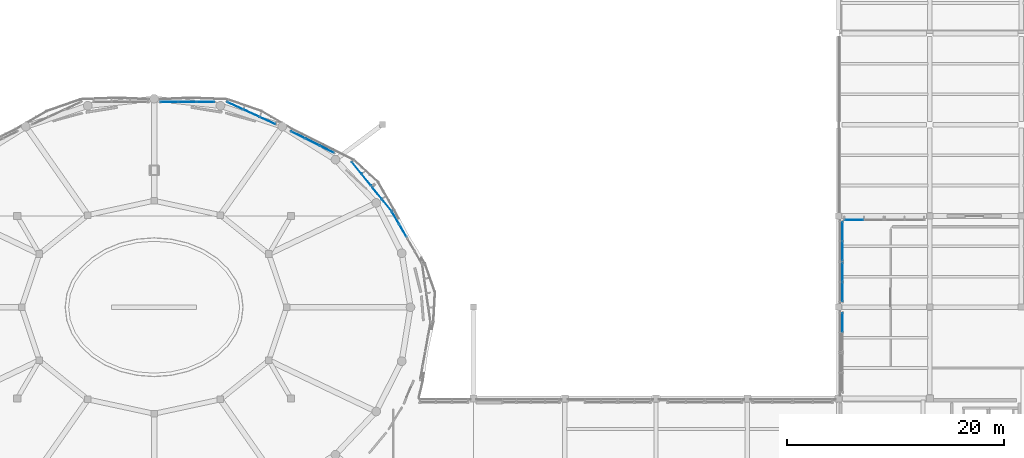
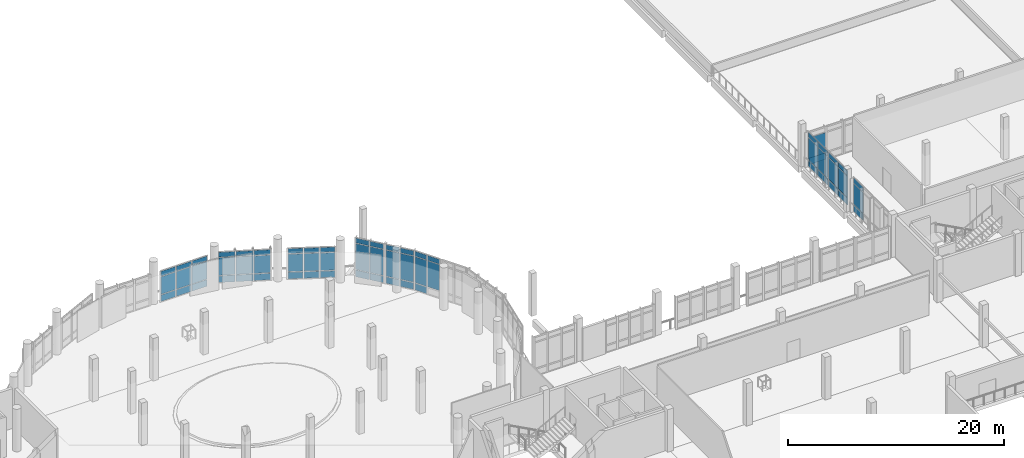
# One storey, part 37 of 63: 61 plates, 10 elements without a shape of their own.
"""IFC4 building model written with IfcOpenShell, lengths in metres."""

from ifc_helpers import new_model, si_unit, derived_unit, direction, frame, origin, origin_2d, place, context, subcontext, project, spatial, rectangle, extrude, material, layer, layer_set, type_object, element, aggregate, save


model = new_model("IFC4")

# Units and contexts
model_context = context("Model", 3, precision=1e-05, world=origin(), true_north=direction((0.0, 1.0)))
body_context = subcontext(model_context, "Body", "Model", "MODEL_VIEW")
ifc_project = project(units=[si_unit("LENGTHUNIT", "METRE"), si_unit("AREAUNIT", "SQUARE_METRE"), si_unit("VOLUMEUNIT", "CUBIC_METRE"), si_unit("PLANEANGLEUNIT", "RADIAN"), si_unit("MASSUNIT", "GRAM", prefix="KILO"), derived_unit("THERMALTRANSMITTANCEUNIT", [(si_unit("POWERUNIT", "WATT"), 1), (si_unit("LENGTHUNIT", "METRE"), -2), (si_unit("THERMODYNAMICTEMPERATUREUNIT", "KELVIN"), -1)])], contexts=[model_context])

# Site, building, storey
site_placement = place(None, origin())
site = spatial("IfcSite", under=ifc_project, at=site_placement, CompositionType="ELEMENT")
building_placement = place(site_placement, origin())
building = spatial("IfcBuilding", under=site, at=building_placement, Name="Elbkamm Science Centre", CompositionType="ELEMENT")
storey_placement = place(building_placement, frame((0.0, 0.0, 5.10009765625)))
storey = spatial("IfcBuildingStorey", under=building, at=storey_placement, Name="L01", CompositionType="ELEMENT", Elevation=5.10009765625)

# Curtain wall, plates
ifc_material_1 = material(Name="Powder-coated aluminium and triple low-E glazing", Category="aluminium")
ifc_layer_1 = layer(ifc_material_1, 0.159912109375)
ifc_layer_set_1 = layer_set([ifc_layer_1], Name="Powder-coated aluminium and triple low-E glazing")
curtain_wall_type_1 = type_object("IfcCurtainWallType", Name="CW-UNIT-2760x4500", PredefinedType="USERDEFINED", material=ifc_layer_set_1)
curtain_wall_1_placement = place(storey_placement, origin())
curtain_wall_1 = element("IfcCurtainWall", 1, at=curtain_wall_1_placement, inside=storey, type_object=curtain_wall_type_1, Name="L01 Unitised Curtain Wall 003", ObjectType="UNITISED CURTAIN WALL", PredefinedType="USERDEFINED")
ifc_material_2 = material(Name="Triple solar-control insulated safety glass", Category="glass")
ifc_layer_2 = layer(ifc_material_2, 0.048095703125)
ifc_layer_set_2 = layer_set([ifc_layer_2], Name="Triple solar-control insulated safety glass")
plate_type = type_object("IfcPlateType", Name="CW-PNL-48", PredefinedType="CURTAIN_PANEL", material=ifc_layer_set_2)
plate_1_placement = place(storey_placement, frame((85.90283203125, 74.248779296875, 0.884765625), z_axis=(0.0, 0.0, 1.0), x_axis=(-0.499477166875, 0.866327051275, 0.0)))
plate_1 = element("IfcPlate", 2, at=plate_1_placement, type_object=plate_type, Name="CW-002 panel 1.2", PredefinedType="CURTAIN_PANEL", context=body_context, shape_type="SweptSolid", body=[
    extrude(rectangle(XDim=1.27734375, YDim=0.048095703125, at=origin_2d()), origin(), (0.0, 0.0, 1.0), 2.929931640625),
])
plate_2_placement = place(storey_placement, frame((85.90283203125, 74.248779296875, 3.885009765625), z_axis=(0.0, 0.0, 1.0), x_axis=(-0.499477166875, 0.866327051275, 0.0)))
plate_2 = element("IfcPlate", 3, at=plate_2_placement, type_object=plate_type, Name="CW-002 panel 1.3", PredefinedType="CURTAIN_PANEL", context=body_context, shape_type="SweptSolid", body=[
    extrude(rectangle(XDim=1.27734375, YDim=0.048095703125, at=origin_2d()), origin(), (0.0, 0.0, 1.0), 0.544921875),
])
plate_3_placement = place(storey_placement, frame((85.229736328125, 75.416015625, 0.06982421875), z_axis=(0.0, 0.0, 1.0), x_axis=(-0.499477166875, 0.866327051275, 0.0)))
plate_3 = element("IfcPlate", 4, at=plate_3_placement, type_object=plate_type, Name="CW-002 panel 2.1", PredefinedType="CURTAIN_PANEL", context=body_context, shape_type="SweptSolid", body=[
    extrude(rectangle(XDim=1.27734375, YDim=0.048095703125, at=origin_2d()), origin(), (0.0, 0.0, 1.0), 0.7451171875),
])
plate_4_placement = place(storey_placement, frame((85.229736328125, 75.416015625, 0.884765625), z_axis=(0.0, 0.0, 1.0), x_axis=(-0.499477166875, 0.866327051275, 0.0)))
plate_4 = element("IfcPlate", 5, at=plate_4_placement, type_object=plate_type, Name="CW-002 panel 2.2", PredefinedType="CURTAIN_PANEL", context=body_context, shape_type="SweptSolid", body=[
    extrude(rectangle(XDim=1.27734375, YDim=0.048095703125, at=origin_2d()), origin(), (0.0, 0.0, 1.0), 2.929931640625),
])
plate_5_placement = place(storey_placement, frame((85.229736328125, 75.416015625, 3.885009765625), z_axis=(0.0, 0.0, 1.0), x_axis=(-0.499477166875, 0.866327051275, 0.0)))
plate_5 = element("IfcPlate", 6, at=plate_5_placement, type_object=plate_type, Name="CW-002 panel 2.3", PredefinedType="CURTAIN_PANEL", context=body_context, shape_type="SweptSolid", body=[
    extrude(rectangle(XDim=1.27734375, YDim=0.048095703125, at=origin_2d()), origin(), (0.0, 0.0, 1.0), 0.544921875),
])
aggregate(curtain_wall_1, [plate_1, plate_2, plate_3, plate_4, plate_5])

ifc_layer_3 = layer(ifc_material_1, 0.159912109375)
ifc_layer_set_3 = layer_set([ifc_layer_3], Name="Powder-coated aluminium and triple low-E glazing")
curtain_wall_type_2 = type_object("IfcCurtainWallType", Name="CW-UNIT-2900x4500", PredefinedType="USERDEFINED", material=ifc_layer_set_3)
curtain_wall_2_placement = place(storey_placement, origin())
curtain_wall_2 = element("IfcCurtainWall", 7, at=curtain_wall_2_placement, inside=storey, type_object=curtain_wall_type_2, Name="L01 Unitised Curtain Wall 004", ObjectType="UNITISED CURTAIN WALL", PredefinedType="USERDEFINED")
plate_6_placement = place(storey_placement, frame((84.409912109375, 76.60595703125, 0.06982421875), z_axis=(0.0, 0.0, 1.0), x_axis=(-0.628891983811, 0.777492683372, 0.0)))
plate_6 = element("IfcPlate", 8, at=plate_6_placement, type_object=plate_type, Name="CW-003 panel 1.1", PredefinedType="CURTAIN_PANEL", context=body_context, shape_type="SweptSolid", body=[
    extrude(rectangle(XDim=1.341796875, YDim=0.048095703125, at=origin_2d()), origin(), (0.0, 0.0, 1.0), 0.7451171875),
])
plate_7_placement = place(storey_placement, frame((84.409912109375, 76.60595703125, 0.884765625), z_axis=(0.0, 0.0, 1.0), x_axis=(-0.628891983811, 0.777492683372, 0.0)))
plate_7 = element("IfcPlate", 9, at=plate_7_placement, type_object=plate_type, Name="CW-003 panel 1.2", PredefinedType="CURTAIN_PANEL", context=body_context, shape_type="SweptSolid", body=[
    extrude(rectangle(XDim=1.341796875, YDim=0.048095703125, at=origin_2d()), origin(), (0.0, 0.0, 1.0), 2.929931640625),
])
plate_8_placement = place(storey_placement, frame((84.409912109375, 76.60595703125, 3.885009765625), z_axis=(0.0, 0.0, 1.0), x_axis=(-0.628891983811, 0.777492683372, 0.0)))
plate_8 = element("IfcPlate", 10, at=plate_8_placement, type_object=plate_type, Name="CW-003 panel 1.3", PredefinedType="CURTAIN_PANEL", context=body_context, shape_type="SweptSolid", body=[
    extrude(rectangle(XDim=1.341796875, YDim=0.048095703125, at=origin_2d()), origin(), (0.0, 0.0, 1.0), 0.544921875),
])
plate_9_placement = place(storey_placement, frame((83.52197265625, 77.703857421875, 0.06982421875), z_axis=(0.0, 0.0, 1.0), x_axis=(-0.628891983811, 0.777492683372, 0.0)))
plate_9 = element("IfcPlate", 11, at=plate_9_placement, type_object=plate_type, Name="CW-003 panel 2.1", PredefinedType="CURTAIN_PANEL", context=body_context, shape_type="SweptSolid", body=[
    extrude(rectangle(XDim=1.341796875, YDim=0.048095703125, at=origin_2d()), origin(), (0.0, 0.0, 1.0), 0.7451171875),
])
plate_10_placement = place(storey_placement, frame((83.52197265625, 77.703857421875, 0.884765625), z_axis=(0.0, 0.0, 1.0), x_axis=(-0.628891983811, 0.777492683372, 0.0)))
plate_10 = element("IfcPlate", 12, at=plate_10_placement, type_object=plate_type, Name="CW-003 panel 2.2", PredefinedType="CURTAIN_PANEL", context=body_context, shape_type="SweptSolid", body=[
    extrude(rectangle(XDim=1.341796875, YDim=0.048095703125, at=origin_2d()), origin(), (0.0, 0.0, 1.0), 2.929931640625),
])
plate_11_placement = place(storey_placement, frame((83.52197265625, 77.703857421875, 3.885009765625), z_axis=(0.0, 0.0, 1.0), x_axis=(-0.628891983811, 0.777492683372, 0.0)))
plate_11 = element("IfcPlate", 13, at=plate_11_placement, type_object=plate_type, Name="CW-003 panel 2.3", PredefinedType="CURTAIN_PANEL", context=body_context, shape_type="SweptSolid", body=[
    extrude(rectangle(XDim=1.341796875, YDim=0.048095703125, at=origin_2d()), origin(), (0.0, 0.0, 1.0), 0.544921875),
])
aggregate(curtain_wall_2, [plate_6, plate_7, plate_8, plate_9, plate_10, plate_11])

curtain_wall_3_placement = place(storey_placement, origin())
curtain_wall_3 = element("IfcCurtainWall", 14, at=curtain_wall_3_placement, inside=storey, type_object=curtain_wall_type_2, Name="L01 Unitised Curtain Wall 005", ObjectType="UNITISED CURTAIN WALL", PredefinedType="USERDEFINED")
plate_12_placement = place(storey_placement, frame((82.539794921875, 78.91796875, 0.06982421875), z_axis=(0.0, 0.0, 1.0), x_axis=(-0.628891983811, 0.777492683372, 0.0)))
plate_12 = element("IfcPlate", 15, at=plate_12_placement, type_object=plate_type, Name="CW-003 panel 1.1", PredefinedType="CURTAIN_PANEL", context=body_context, shape_type="SweptSolid", body=[
    extrude(rectangle(XDim=1.341796875, YDim=0.048095703125, at=origin_2d()), origin(), (0.0, 0.0, 1.0), 0.7451171875),
])
plate_13_placement = place(storey_placement, frame((82.539794921875, 78.91796875, 0.884765625), z_axis=(0.0, 0.0, 1.0), x_axis=(-0.628891983811, 0.777492683372, 0.0)))
plate_13 = element("IfcPlate", 16, at=plate_13_placement, type_object=plate_type, Name="CW-003 panel 1.2", PredefinedType="CURTAIN_PANEL", context=body_context, shape_type="SweptSolid", body=[
    extrude(rectangle(XDim=1.341796875, YDim=0.048095703125, at=origin_2d()), origin(), (0.0, 0.0, 1.0), 2.929931640625),
])
plate_14_placement = place(storey_placement, frame((82.539794921875, 78.91796875, 3.885009765625), z_axis=(0.0, 0.0, 1.0), x_axis=(-0.628891983811, 0.777492683372, 0.0)))
plate_14 = element("IfcPlate", 17, at=plate_14_placement, type_object=plate_type, Name="CW-003 panel 1.3", PredefinedType="CURTAIN_PANEL", context=body_context, shape_type="SweptSolid", body=[
    extrude(rectangle(XDim=1.341796875, YDim=0.048095703125, at=origin_2d()), origin(), (0.0, 0.0, 1.0), 0.544921875),
])
plate_15_placement = place(storey_placement, frame((81.65185546875, 80.015625, 0.06982421875), z_axis=(0.0, 0.0, 1.0), x_axis=(-0.628891983811, 0.777492683372, 0.0)))
plate_15 = element("IfcPlate", 18, at=plate_15_placement, type_object=plate_type, Name="CW-003 panel 2.1", PredefinedType="CURTAIN_PANEL", context=body_context, shape_type="SweptSolid", body=[
    extrude(rectangle(XDim=1.341796875, YDim=0.048095703125, at=origin_2d()), origin(), (0.0, 0.0, 1.0), 0.7451171875),
])
plate_16_placement = place(storey_placement, frame((81.65185546875, 80.015625, 0.884765625), z_axis=(0.0, 0.0, 1.0), x_axis=(-0.628891983811, 0.777492683372, 0.0)))
plate_16 = element("IfcPlate", 19, at=plate_16_placement, type_object=plate_type, Name="CW-003 panel 2.2", PredefinedType="CURTAIN_PANEL", context=body_context, shape_type="SweptSolid", body=[
    extrude(rectangle(XDim=1.341796875, YDim=0.048095703125, at=origin_2d()), origin(), (0.0, 0.0, 1.0), 2.929931640625),
])
plate_17_placement = place(storey_placement, frame((81.65185546875, 80.015625, 3.885009765625), z_axis=(0.0, 0.0, 1.0), x_axis=(-0.628891983811, 0.777492683372, 0.0)))
plate_17 = element("IfcPlate", 20, at=plate_17_placement, type_object=plate_type, Name="CW-003 panel 2.3", PredefinedType="CURTAIN_PANEL", context=body_context, shape_type="SweptSolid", body=[
    extrude(rectangle(XDim=1.341796875, YDim=0.048095703125, at=origin_2d()), origin(), (0.0, 0.0, 1.0), 0.544921875),
])
aggregate(curtain_wall_3, [plate_12, plate_13, plate_14, plate_15, plate_16, plate_17])

ifc_layer_4 = layer(ifc_material_1, 0.159912109375)
ifc_layer_set_4 = layer_set([ifc_layer_4], Name="Powder-coated aluminium and triple low-E glazing")
curtain_wall_type_3 = type_object("IfcCurtainWallType", Name="CW-UNIT-4500x3560", PredefinedType="USERDEFINED", material=ifc_layer_set_4)
curtain_wall_4_placement = place(storey_placement, origin())
curtain_wall_4 = element("IfcCurtainWall", 21, at=curtain_wall_4_placement, inside=storey, type_object=curtain_wall_type_3, Name="L01 Unitised Curtain Wall 006", ObjectType="UNITISED CURTAIN WALL", PredefinedType="USERDEFINED")
plate_18_placement = place(storey_placement, frame((78.905029296875, 81.729736328125, 0.06982421875), z_axis=(0.0, 0.0, 1.0), x_axis=(-0.894812983303, 0.446441177439, 0.0)))
plate_18 = element("IfcPlate", 22, at=plate_18_placement, type_object=plate_type, Name="CW-004 panel 1.1", PredefinedType="CURTAIN_PANEL", context=body_context, shape_type="SweptSolid", body=[
    extrude(rectangle(XDim=1.397216796875, YDim=0.048095703125, at=origin_2d()), origin(), (0.0, 0.0, 1.0), 0.7451171875),
])
plate_19_placement = place(storey_placement, frame((78.905029296875, 81.729736328125, 0.885009765625), z_axis=(0.0, 0.0, 1.0), x_axis=(-0.894812983303, 0.446441177439, 0.0)))
plate_19 = element("IfcPlate", 23, at=plate_19_placement, type_object=plate_type, Name="CW-004 panel 1.2", PredefinedType="CURTAIN_PANEL", context=body_context, shape_type="SweptSolid", body=[
    extrude(rectangle(XDim=1.397216796875, YDim=0.048095703125, at=origin_2d()), origin(), (0.0, 0.0, 1.0), 1.97998046875),
])
plate_20_placement = place(storey_placement, frame((78.905029296875, 81.729736328125, 2.93505859375), z_axis=(0.0, 0.0, 1.0), x_axis=(-0.894812983303, 0.446441177439, 0.0)))
plate_20 = element("IfcPlate", 24, at=plate_20_placement, type_object=plate_type, Name="CW-004 panel 1.3", PredefinedType="CURTAIN_PANEL", context=body_context, shape_type="SweptSolid", body=[
    extrude(rectangle(XDim=1.397216796875, YDim=0.048095703125, at=origin_2d()), origin(), (0.0, 0.0, 1.0), 0.544921875),
])
plate_21_placement = place(storey_placement, frame((77.57666015625, 82.392578125, 0.06982421875), z_axis=(0.0, 0.0, 1.0), x_axis=(-0.894812983303, 0.446441177439, 0.0)))
plate_21 = element("IfcPlate", 25, at=plate_21_placement, type_object=plate_type, Name="CW-004 panel 2.1", PredefinedType="CURTAIN_PANEL", context=body_context, shape_type="SweptSolid", body=[
    extrude(rectangle(XDim=1.43212890625, YDim=0.048095703125, at=origin_2d()), origin(), (0.0, 0.0, 1.0), 0.7451171875),
])
plate_22_placement = place(storey_placement, frame((77.57666015625, 82.392578125, 0.885009765625), z_axis=(0.0, 0.0, 1.0), x_axis=(-0.894812983303, 0.446441177439, 0.0)))
plate_22 = element("IfcPlate", 26, at=plate_22_placement, type_object=plate_type, Name="CW-004 panel 2.2", PredefinedType="CURTAIN_PANEL", context=body_context, shape_type="SweptSolid", body=[
    extrude(rectangle(XDim=1.43212890625, YDim=0.048095703125, at=origin_2d()), origin(), (0.0, 0.0, 1.0), 1.97998046875),
])
plate_23_placement = place(storey_placement, frame((77.57666015625, 82.392578125, 2.93505859375), z_axis=(0.0, 0.0, 1.0), x_axis=(-0.894812983303, 0.446441177439, 0.0)))
plate_23 = element("IfcPlate", 27, at=plate_23_placement, type_object=plate_type, Name="CW-004 panel 2.3", PredefinedType="CURTAIN_PANEL", context=body_context, shape_type="SweptSolid", body=[
    extrude(rectangle(XDim=1.43212890625, YDim=0.048095703125, at=origin_2d()), origin(), (0.0, 0.0, 1.0), 0.544921875),
])
plate_24_placement = place(storey_placement, frame((76.248291015625, 83.05517578125, 0.06982421875), z_axis=(0.0, 0.0, 1.0), x_axis=(-0.894812983303, 0.446441177439, 0.0)))
plate_24 = element("IfcPlate", 28, at=plate_24_placement, type_object=plate_type, Name="CW-004 panel 3.1", PredefinedType="CURTAIN_PANEL", context=body_context, shape_type="SweptSolid", body=[
    extrude(rectangle(XDim=1.397216796875, YDim=0.048095703125, at=origin_2d()), origin(), (0.0, 0.0, 1.0), 0.7451171875),
])
plate_25_placement = place(storey_placement, frame((76.248291015625, 83.05517578125, 0.885009765625), z_axis=(0.0, 0.0, 1.0), x_axis=(-0.894812983303, 0.446441177439, 0.0)))
plate_25 = element("IfcPlate", 29, at=plate_25_placement, type_object=plate_type, Name="CW-004 panel 3.2", PredefinedType="CURTAIN_PANEL", context=body_context, shape_type="SweptSolid", body=[
    extrude(rectangle(XDim=1.397216796875, YDim=0.048095703125, at=origin_2d()), origin(), (0.0, 0.0, 1.0), 1.97998046875),
])
plate_26_placement = place(storey_placement, frame((76.248291015625, 83.05517578125, 2.93505859375), z_axis=(0.0, 0.0, 1.0), x_axis=(-0.894812983303, 0.446441177439, 0.0)))
plate_26 = element("IfcPlate", 30, at=plate_26_placement, type_object=plate_type, Name="CW-004 panel 3.3", PredefinedType="CURTAIN_PANEL", context=body_context, shape_type="SweptSolid", body=[
    extrude(rectangle(XDim=1.397216796875, YDim=0.048095703125, at=origin_2d()), origin(), (0.0, 0.0, 1.0), 0.544921875),
])
aggregate(curtain_wall_4, [plate_18, plate_19, plate_20, plate_21, plate_22, plate_23, plate_24, plate_25, plate_26])

ifc_layer_5 = layer(ifc_material_1, 0.159912109375)
ifc_layer_set_5 = layer_set([ifc_layer_5], Name="Powder-coated aluminium and triple low-E glazing")
curtain_wall_type_4 = type_object("IfcCurtainWallType", Name="CW-UNIT-4980x3560", PredefinedType="USERDEFINED", material=ifc_layer_set_5)
curtain_wall_5_placement = place(storey_placement, origin())
curtain_wall_5 = element("IfcCurtainWall", 31, at=curtain_wall_5_placement, inside=storey, type_object=curtain_wall_type_4, Name="L01 Unitised Curtain Wall 007", ObjectType="UNITISED CURTAIN WALL", PredefinedType="USERDEFINED")
plate_27_placement = place(storey_placement, frame((73.441650390625, 84.372314453125, 0.06982421875), z_axis=(0.0, 0.0, 1.0), x_axis=(-0.908582857134, 0.417704670458, 0.0)))
plate_27 = element("IfcPlate", 32, at=plate_27_placement, type_object=plate_type, Name="CW-005 panel 1.1", PredefinedType="CURTAIN_PANEL", context=body_context, shape_type="SweptSolid", body=[
    extrude(rectangle(XDim=1.557373046875, YDim=0.048095703125, at=origin_2d()), origin(), (0.0, 0.0, 1.0), 0.7451171875),
])
plate_28_placement = place(storey_placement, frame((73.441650390625, 84.372314453125, 0.885009765625), z_axis=(0.0, 0.0, 1.0), x_axis=(-0.908582857134, 0.417704670458, 0.0)))
plate_28 = element("IfcPlate", 33, at=plate_28_placement, type_object=plate_type, Name="CW-005 panel 1.2", PredefinedType="CURTAIN_PANEL", context=body_context, shape_type="SweptSolid", body=[
    extrude(rectangle(XDim=1.557373046875, YDim=0.048095703125, at=origin_2d()), origin(), (0.0, 0.0, 1.0), 1.97998046875),
])
plate_29_placement = place(storey_placement, frame((73.441650390625, 84.372314453125, 2.93505859375), z_axis=(0.0, 0.0, 1.0), x_axis=(-0.908582857134, 0.417704670458, 0.0)))
plate_29 = element("IfcPlate", 34, at=plate_29_placement, type_object=plate_type, Name="CW-005 panel 1.3", PredefinedType="CURTAIN_PANEL", context=body_context, shape_type="SweptSolid", body=[
    extrude(rectangle(XDim=1.557373046875, YDim=0.048095703125, at=origin_2d()), origin(), (0.0, 0.0, 1.0), 0.544921875),
])
plate_30_placement = place(storey_placement, frame((71.947265625, 85.059326171875, 0.06982421875), z_axis=(0.0, 0.0, 1.0), x_axis=(-0.908582857134, 0.417704670458, 0.0)))
plate_30 = element("IfcPlate", 35, at=plate_30_placement, type_object=plate_type, Name="CW-005 panel 2.1", PredefinedType="CURTAIN_PANEL", context=body_context, shape_type="SweptSolid", body=[
    extrude(rectangle(XDim=1.59228515625, YDim=0.048095703125, at=origin_2d()), origin(), (0.0, 0.0, 1.0), 0.7451171875),
])
plate_31_placement = place(storey_placement, frame((71.947265625, 85.059326171875, 0.885009765625), z_axis=(0.0, 0.0, 1.0), x_axis=(-0.908582857134, 0.417704670458, 0.0)))
plate_31 = element("IfcPlate", 36, at=plate_31_placement, type_object=plate_type, Name="CW-005 panel 2.2", PredefinedType="CURTAIN_PANEL", context=body_context, shape_type="SweptSolid", body=[
    extrude(rectangle(XDim=1.59228515625, YDim=0.048095703125, at=origin_2d()), origin(), (0.0, 0.0, 1.0), 1.97998046875),
])
plate_32_placement = place(storey_placement, frame((71.947265625, 85.059326171875, 2.93505859375), z_axis=(0.0, 0.0, 1.0), x_axis=(-0.908582857134, 0.417704670458, 0.0)))
plate_32 = element("IfcPlate", 37, at=plate_32_placement, type_object=plate_type, Name="CW-005 panel 2.3", PredefinedType="CURTAIN_PANEL", context=body_context, shape_type="SweptSolid", body=[
    extrude(rectangle(XDim=1.59228515625, YDim=0.048095703125, at=origin_2d()), origin(), (0.0, 0.0, 1.0), 0.544921875),
])
plate_33_placement = place(storey_placement, frame((70.452880859375, 85.746337890625, 0.06982421875), z_axis=(0.0, 0.0, 1.0), x_axis=(-0.908582857134, 0.417704670458, 0.0)))
plate_33 = element("IfcPlate", 38, at=plate_33_placement, type_object=plate_type, Name="CW-005 panel 3.1", PredefinedType="CURTAIN_PANEL", context=body_context, shape_type="SweptSolid", body=[
    extrude(rectangle(XDim=1.557373046875, YDim=0.048095703125, at=origin_2d()), origin(), (0.0, 0.0, 1.0), 0.7451171875),
])
plate_34_placement = place(storey_placement, frame((70.452880859375, 85.746337890625, 0.885009765625), z_axis=(0.0, 0.0, 1.0), x_axis=(-0.908582857134, 0.417704670458, 0.0)))
plate_34 = element("IfcPlate", 39, at=plate_34_placement, type_object=plate_type, Name="CW-005 panel 3.2", PredefinedType="CURTAIN_PANEL", context=body_context, shape_type="SweptSolid", body=[
    extrude(rectangle(XDim=1.557373046875, YDim=0.048095703125, at=origin_2d()), origin(), (0.0, 0.0, 1.0), 1.97998046875),
])
plate_35_placement = place(storey_placement, frame((70.452880859375, 85.746337890625, 2.93505859375), z_axis=(0.0, 0.0, 1.0), x_axis=(-0.908582857134, 0.417704670458, 0.0)))
plate_35 = element("IfcPlate", 40, at=plate_35_placement, type_object=plate_type, Name="CW-005 panel 3.3", PredefinedType="CURTAIN_PANEL", context=body_context, shape_type="SweptSolid", body=[
    extrude(rectangle(XDim=1.557373046875, YDim=0.048095703125, at=origin_2d()), origin(), (0.0, 0.0, 1.0), 0.544921875),
])
aggregate(curtain_wall_5, [plate_27, plate_28, plate_29, plate_30, plate_31, plate_32, plate_33, plate_34, plate_35])

ifc_layer_6 = layer(ifc_material_1, 0.159912109375)
ifc_layer_set_6 = layer_set([ifc_layer_6], Name="Powder-coated aluminium and triple low-E glazing")
curtain_wall_type_5 = type_object("IfcCurtainWallType", Name="CW-UNIT-5080x3560", PredefinedType="USERDEFINED", material=ifc_layer_set_6)
curtain_wall_6_placement = place(storey_placement, origin())
curtain_wall_6 = element("IfcCurtainWall", 41, at=curtain_wall_6_placement, inside=storey, type_object=curtain_wall_type_5, Name="L01 Unitised Curtain Wall 008", ObjectType="UNITISED CURTAIN WALL", PredefinedType="USERDEFINED")
plate_36_placement = place(storey_placement, frame((67.73388671875, 86.091796875, 0.06982421875), z_axis=(0.0, 0.0, 1.0), x_axis=(-0.99998926822, -0.004632865661, 0.0)))
plate_36 = element("IfcPlate", 42, at=plate_36_placement, type_object=plate_type, Name="CW-006 panel 1.1", PredefinedType="CURTAIN_PANEL", context=body_context, shape_type="SweptSolid", body=[
    extrude(rectangle(XDim=1.5859375, YDim=0.048095703125, at=origin_2d()), origin(), (0.0, 0.0, 1.0), 0.7451171875),
])
plate_37_placement = place(storey_placement, frame((67.73388671875, 86.091796875, 0.885009765625), z_axis=(0.0, 0.0, 1.0), x_axis=(-0.99998926822, -0.004632865661, 0.0)))
plate_37 = element("IfcPlate", 43, at=plate_37_placement, type_object=plate_type, Name="CW-006 panel 1.2", PredefinedType="CURTAIN_PANEL", context=body_context, shape_type="SweptSolid", body=[
    extrude(rectangle(XDim=1.5859375, YDim=0.048095703125, at=origin_2d()), origin(), (0.0, 0.0, 1.0), 1.97998046875),
])
plate_38_placement = place(storey_placement, frame((67.73388671875, 86.091796875, 2.93505859375), z_axis=(0.0, 0.0, 1.0), x_axis=(-0.99998926822, -0.004632865661, 0.0)))
plate_38 = element("IfcPlate", 44, at=plate_38_placement, type_object=plate_type, Name="CW-006 panel 1.3", PredefinedType="CURTAIN_PANEL", context=body_context, shape_type="SweptSolid", body=[
    extrude(rectangle(XDim=1.5859375, YDim=0.048095703125, at=origin_2d()), origin(), (0.0, 0.0, 1.0), 0.544921875),
])
plate_39_placement = place(storey_placement, frame((66.060791015625, 86.084228515625, 0.06982421875), z_axis=(0.0, 0.0, 1.0), x_axis=(-0.99998926822, -0.004632865661, 0.0)))
plate_39 = element("IfcPlate", 45, at=plate_39_placement, type_object=plate_type, Name="CW-006 panel 2.1", PredefinedType="CURTAIN_PANEL", context=body_context, shape_type="SweptSolid", body=[
    extrude(rectangle(XDim=1.620849609375, YDim=0.048095703125, at=origin_2d()), origin(), (0.0, 0.0, 1.0), 0.7451171875),
])
plate_40_placement = place(storey_placement, frame((66.060791015625, 86.084228515625, 0.885009765625), z_axis=(0.0, 0.0, 1.0), x_axis=(-0.99998926822, -0.004632865661, 0.0)))
plate_40 = element("IfcPlate", 46, at=plate_40_placement, type_object=plate_type, Name="CW-006 panel 2.2", PredefinedType="CURTAIN_PANEL", context=body_context, shape_type="SweptSolid", body=[
    extrude(rectangle(XDim=1.620849609375, YDim=0.048095703125, at=origin_2d()), origin(), (0.0, 0.0, 1.0), 1.97998046875),
])
plate_41_placement = place(storey_placement, frame((66.060791015625, 86.084228515625, 2.93505859375), z_axis=(0.0, 0.0, 1.0), x_axis=(-0.99998926822, -0.004632865661, 0.0)))
plate_41 = element("IfcPlate", 47, at=plate_41_placement, type_object=plate_type, Name="CW-006 panel 2.3", PredefinedType="CURTAIN_PANEL", context=body_context, shape_type="SweptSolid", body=[
    extrude(rectangle(XDim=1.620849609375, YDim=0.048095703125, at=origin_2d()), origin(), (0.0, 0.0, 1.0), 0.544921875),
])
plate_42_placement = place(storey_placement, frame((64.387451171875, 86.076416015625, 0.06982421875), z_axis=(0.0, 0.0, 1.0), x_axis=(-0.99998926822, -0.004632865661, 0.0)))
plate_42 = element("IfcPlate", 48, at=plate_42_placement, type_object=plate_type, Name="CW-006 panel 3.1", PredefinedType="CURTAIN_PANEL", context=body_context, shape_type="SweptSolid", body=[
    extrude(rectangle(XDim=1.5859375, YDim=0.048095703125, at=origin_2d()), origin(), (0.0, 0.0, 1.0), 0.7451171875),
])
plate_43_placement = place(storey_placement, frame((64.387451171875, 86.076416015625, 0.885009765625), z_axis=(0.0, 0.0, 1.0), x_axis=(-0.99998926822, -0.004632865661, 0.0)))
plate_43 = element("IfcPlate", 49, at=plate_43_placement, type_object=plate_type, Name="CW-006 panel 3.2", PredefinedType="CURTAIN_PANEL", context=body_context, shape_type="SweptSolid", body=[
    extrude(rectangle(XDim=1.5859375, YDim=0.048095703125, at=origin_2d()), origin(), (0.0, 0.0, 1.0), 1.97998046875),
])
plate_44_placement = place(storey_placement, frame((64.387451171875, 86.076416015625, 2.93505859375), z_axis=(0.0, 0.0, 1.0), x_axis=(-0.99998926822, -0.004632865661, 0.0)))
plate_44 = element("IfcPlate", 50, at=plate_44_placement, type_object=plate_type, Name="CW-006 panel 3.3", PredefinedType="CURTAIN_PANEL", context=body_context, shape_type="SweptSolid", body=[
    extrude(rectangle(XDim=1.5859375, YDim=0.048095703125, at=origin_2d()), origin(), (0.0, 0.0, 1.0), 0.544921875),
])
aggregate(curtain_wall_6, [plate_36, plate_37, plate_38, plate_39, plate_40, plate_41, plate_42, plate_43, plate_44])

ifc_layer_7 = layer(ifc_material_1, 0.159912109375)
ifc_layer_set_7 = layer_set([ifc_layer_7], Name="Powder-coated aluminium and triple low-E glazing")
curtain_wall_type_6 = type_object("IfcCurtainWallType", Name="CW-UNIT-3640x3900", PredefinedType="USERDEFINED", material=ifc_layer_set_7)
curtain_wall_7_placement = place(storey_placement, origin())
curtain_wall_7 = element("IfcCurtainWall", 51, at=curtain_wall_7_placement, inside=storey, type_object=curtain_wall_type_6, Name="L01 Unitised Curtain Wall 156", ObjectType="UNITISED CURTAIN WALL", PredefinedType="USERDEFINED")
plate_45_placement = place(storey_placement, frame((126.3798828125, 65.78564453125, 0.06982421875), z_axis=(0.0, 0.0, 1.0), x_axis=(0.0, 1.0, 0.0)))
plate_45 = element("IfcPlate", 52, at=plate_45_placement, type_object=plate_type, Name="CW-065 panel 2.1", PredefinedType="CURTAIN_PANEL", context=body_context, shape_type="SweptSolid", body=[
    extrude(rectangle(XDim=1.7158203125, YDim=0.048095703125, at=origin_2d()), origin(), (0.0, 0.0, 1.0), 0.7451171875),
])
plate_46_placement = place(storey_placement, frame((126.3798828125, 65.78564453125, 0.884765625), z_axis=(0.0, 0.0, 1.0), x_axis=(0.0, 1.0, 0.0)))
plate_46 = element("IfcPlate", 53, at=plate_46_placement, type_object=plate_type, Name="CW-065 panel 2.2", PredefinedType="CURTAIN_PANEL", context=body_context, shape_type="SweptSolid", body=[
    extrude(rectangle(XDim=1.7158203125, YDim=0.048095703125, at=origin_2d()), origin(), (0.0, 0.0, 1.0), 2.330078125),
])
plate_47_placement = place(storey_placement, frame((126.3798828125, 65.78564453125, 3.284912109375), z_axis=(0.0, 0.0, 1.0), x_axis=(0.0, 1.0, 0.0)))
plate_47 = element("IfcPlate", 54, at=plate_47_placement, type_object=plate_type, Name="CW-065 panel 2.3", PredefinedType="CURTAIN_PANEL", context=body_context, shape_type="SweptSolid", body=[
    extrude(rectangle(XDim=1.7158203125, YDim=0.048095703125, at=origin_2d()), origin(), (0.0, 0.0, 1.0), 0.544921875),
])
aggregate(curtain_wall_7, [plate_45, plate_46, plate_47])

ifc_layer_8 = layer(ifc_material_1, 0.159912109375)
ifc_layer_set_8 = layer_set([ifc_layer_8], Name="Powder-coated aluminium and triple low-E glazing")
curtain_wall_type_7 = type_object("IfcCurtainWallType", Name="CW-UNIT-3680x3980", PredefinedType="USERDEFINED", material=ifc_layer_set_8)
curtain_wall_8_placement = place(storey_placement, origin())
curtain_wall_8 = element("IfcCurtainWall", 55, at=curtain_wall_8_placement, inside=storey, type_object=curtain_wall_type_7, Name="L01 Unitised Curtain Wall 157", ObjectType="UNITISED CURTAIN WALL", PredefinedType="USERDEFINED")
plate_48_placement = place(storey_placement, frame((126.3798828125, 68.622314453125, 0.06982421875), z_axis=(0.0, 0.0, 1.0), x_axis=(0.0, 1.0, 0.0)))
plate_48 = element("IfcPlate", 56, at=plate_48_placement, type_object=plate_type, Name="CW-074 panel 1.1", PredefinedType="CURTAIN_PANEL", context=body_context, shape_type="SweptSolid", body=[
    extrude(rectangle(XDim=1.73193359375, YDim=0.048095703125, at=origin_2d()), origin(), (0.0, 0.0, 1.0), 0.7451171875),
])
plate_49_placement = place(storey_placement, frame((126.3798828125, 68.622314453125, 0.884765625), z_axis=(0.0, 0.0, 1.0), x_axis=(0.0, 1.0, 0.0)))
plate_49 = element("IfcPlate", 57, at=plate_49_placement, type_object=plate_type, Name="CW-074 panel 1.2", PredefinedType="CURTAIN_PANEL", context=body_context, shape_type="SweptSolid", body=[
    extrude(rectangle(XDim=1.73193359375, YDim=0.048095703125, at=origin_2d()), origin(), (0.0, 0.0, 1.0), 2.409912109375),
])
plate_50_placement = place(storey_placement, frame((126.3798828125, 68.622314453125, 3.364990234375), z_axis=(0.0, 0.0, 1.0), x_axis=(0.0, 1.0, 0.0)))
plate_50 = element("IfcPlate", 58, at=plate_50_placement, type_object=plate_type, Name="CW-074 panel 1.3", PredefinedType="CURTAIN_PANEL", context=body_context, shape_type="SweptSolid", body=[
    extrude(rectangle(XDim=1.73193359375, YDim=0.048095703125, at=origin_2d()), origin(), (0.0, 0.0, 1.0), 0.544921875),
])
plate_51_placement = place(storey_placement, frame((126.3798828125, 70.424072265625, 0.06982421875), z_axis=(0.0, 0.0, 1.0), x_axis=(0.0, 1.0, 0.0)))
plate_51 = element("IfcPlate", 59, at=plate_51_placement, type_object=plate_type, Name="CW-074 panel 2.1", PredefinedType="CURTAIN_PANEL", context=body_context, shape_type="SweptSolid", body=[
    extrude(rectangle(XDim=1.73193359375, YDim=0.048095703125, at=origin_2d()), origin(), (0.0, 0.0, 1.0), 0.7451171875),
])
plate_52_placement = place(storey_placement, frame((126.3798828125, 70.424072265625, 0.884765625), z_axis=(0.0, 0.0, 1.0), x_axis=(0.0, 1.0, 0.0)))
plate_52 = element("IfcPlate", 60, at=plate_52_placement, type_object=plate_type, Name="CW-074 panel 2.2", PredefinedType="CURTAIN_PANEL", context=body_context, shape_type="SweptSolid", body=[
    extrude(rectangle(XDim=1.73193359375, YDim=0.048095703125, at=origin_2d()), origin(), (0.0, 0.0, 1.0), 2.409912109375),
])
plate_53_placement = place(storey_placement, frame((126.3798828125, 70.424072265625, 3.364990234375), z_axis=(0.0, 0.0, 1.0), x_axis=(0.0, 1.0, 0.0)))
plate_53 = element("IfcPlate", 61, at=plate_53_placement, type_object=plate_type, Name="CW-074 panel 2.3", PredefinedType="CURTAIN_PANEL", context=body_context, shape_type="SweptSolid", body=[
    extrude(rectangle(XDim=1.73193359375, YDim=0.048095703125, at=origin_2d()), origin(), (0.0, 0.0, 1.0), 0.544921875),
])
aggregate(curtain_wall_8, [plate_48, plate_49, plate_50, plate_51, plate_52, plate_53])

curtain_wall_9_placement = place(storey_placement, origin())
curtain_wall_9 = element("IfcCurtainWall", 62, at=curtain_wall_9_placement, inside=storey, type_object=curtain_wall_type_7, Name="L01 Unitised Curtain Wall 158", ObjectType="UNITISED CURTAIN WALL", PredefinedType="USERDEFINED")
plate_54_placement = place(storey_placement, frame((126.3798828125, 72.3759765625, 0.06982421875), z_axis=(0.0, 0.0, 1.0), x_axis=(0.0, 1.0, 0.0)))
plate_54 = element("IfcPlate", 63, at=plate_54_placement, type_object=plate_type, Name="CW-074 panel 1.1", PredefinedType="CURTAIN_PANEL", context=body_context, shape_type="SweptSolid", body=[
    extrude(rectangle(XDim=1.73193359375, YDim=0.048095703125, at=origin_2d()), origin(), (0.0, 0.0, 1.0), 0.7451171875),
])
plate_55_placement = place(storey_placement, frame((126.3798828125, 72.3759765625, 0.884765625), z_axis=(0.0, 0.0, 1.0), x_axis=(0.0, 1.0, 0.0)))
plate_55 = element("IfcPlate", 64, at=plate_55_placement, type_object=plate_type, Name="CW-074 panel 1.2", PredefinedType="CURTAIN_PANEL", context=body_context, shape_type="SweptSolid", body=[
    extrude(rectangle(XDim=1.73193359375, YDim=0.048095703125, at=origin_2d()), origin(), (0.0, 0.0, 1.0), 2.409912109375),
])
plate_56_placement = place(storey_placement, frame((126.3798828125, 72.3759765625, 3.364990234375), z_axis=(0.0, 0.0, 1.0), x_axis=(0.0, 1.0, 0.0)))
plate_56 = element("IfcPlate", 65, at=plate_56_placement, type_object=plate_type, Name="CW-074 panel 1.3", PredefinedType="CURTAIN_PANEL", context=body_context, shape_type="SweptSolid", body=[
    extrude(rectangle(XDim=1.73193359375, YDim=0.048095703125, at=origin_2d()), origin(), (0.0, 0.0, 1.0), 0.544921875),
])
plate_57_placement = place(storey_placement, frame((126.3798828125, 74.177734375, 0.06982421875), z_axis=(0.0, 0.0, 1.0), x_axis=(0.0, 1.0, 0.0)))
plate_57 = element("IfcPlate", 66, at=plate_57_placement, type_object=plate_type, Name="CW-074 panel 2.1", PredefinedType="CURTAIN_PANEL", context=body_context, shape_type="SweptSolid", body=[
    extrude(rectangle(XDim=1.73193359375, YDim=0.048095703125, at=origin_2d()), origin(), (0.0, 0.0, 1.0), 0.7451171875),
])
plate_58_placement = place(storey_placement, frame((126.3798828125, 74.177734375, 0.884765625), z_axis=(0.0, 0.0, 1.0), x_axis=(0.0, 1.0, 0.0)))
plate_58 = element("IfcPlate", 67, at=plate_58_placement, type_object=plate_type, Name="CW-074 panel 2.2", PredefinedType="CURTAIN_PANEL", context=body_context, shape_type="SweptSolid", body=[
    extrude(rectangle(XDim=1.73193359375, YDim=0.048095703125, at=origin_2d()), origin(), (0.0, 0.0, 1.0), 2.409912109375),
])
plate_59_placement = place(storey_placement, frame((126.3798828125, 74.177734375, 3.364990234375), z_axis=(0.0, 0.0, 1.0), x_axis=(0.0, 1.0, 0.0)))
plate_59 = element("IfcPlate", 68, at=plate_59_placement, type_object=plate_type, Name="CW-074 panel 2.3", PredefinedType="CURTAIN_PANEL", context=body_context, shape_type="SweptSolid", body=[
    extrude(rectangle(XDim=1.73193359375, YDim=0.048095703125, at=origin_2d()), origin(), (0.0, 0.0, 1.0), 0.544921875),
])
aggregate(curtain_wall_9, [plate_54, plate_55, plate_56, plate_57, plate_58, plate_59])

ifc_layer_9 = layer(ifc_material_1, 0.159912109375)
ifc_layer_set_9 = layer_set([ifc_layer_9], Name="Powder-coated aluminium and triple low-E glazing")
curtain_wall_type_8 = type_object("IfcCurtainWallType", Name="CW-UNIT-3680x3780", PredefinedType="USERDEFINED", material=ifc_layer_set_9)
curtain_wall_10_placement = place(storey_placement, origin())
curtain_wall_10 = element("IfcCurtainWall", 69, at=curtain_wall_10_placement, inside=storey, type_object=curtain_wall_type_8, Name="L01 Unitised Curtain Wall 159", ObjectType="UNITISED CURTAIN WALL", PredefinedType="USERDEFINED")
plate_60_placement = place(storey_placement, frame((127.422119140625, 75.219970703125, 0.06982421875), z_axis=(0.0, 0.0, 1.0), x_axis=(1.0, 0.0, 0.0)))
plate_60 = element("IfcPlate", 70, at=plate_60_placement, type_object=plate_type, Name="CW-075 panel 1.1", PredefinedType="CURTAIN_PANEL", context=body_context, shape_type="SweptSolid", body=[
    extrude(rectangle(XDim=1.73193359375, YDim=0.048095703125, at=origin_2d()), origin(), (0.0, 0.0, 1.0), 0.7451171875),
])
plate_61_placement = place(storey_placement, frame((127.422119140625, 75.219970703125, 0.885009765625), z_axis=(0.0, 0.0, 1.0), x_axis=(1.0, 0.0, 0.0)))
plate_61 = element("IfcPlate", 71, at=plate_61_placement, type_object=plate_type, Name="CW-075 panel 1.2", PredefinedType="CURTAIN_PANEL", context=body_context, shape_type="SweptSolid", body=[
    extrude(rectangle(XDim=1.73193359375, YDim=0.048095703125, at=origin_2d()), origin(), (0.0, 0.0, 1.0), 2.2099609375),
])
aggregate(curtain_wall_10, [plate_60, plate_61])

save(model, "model.ifc")
